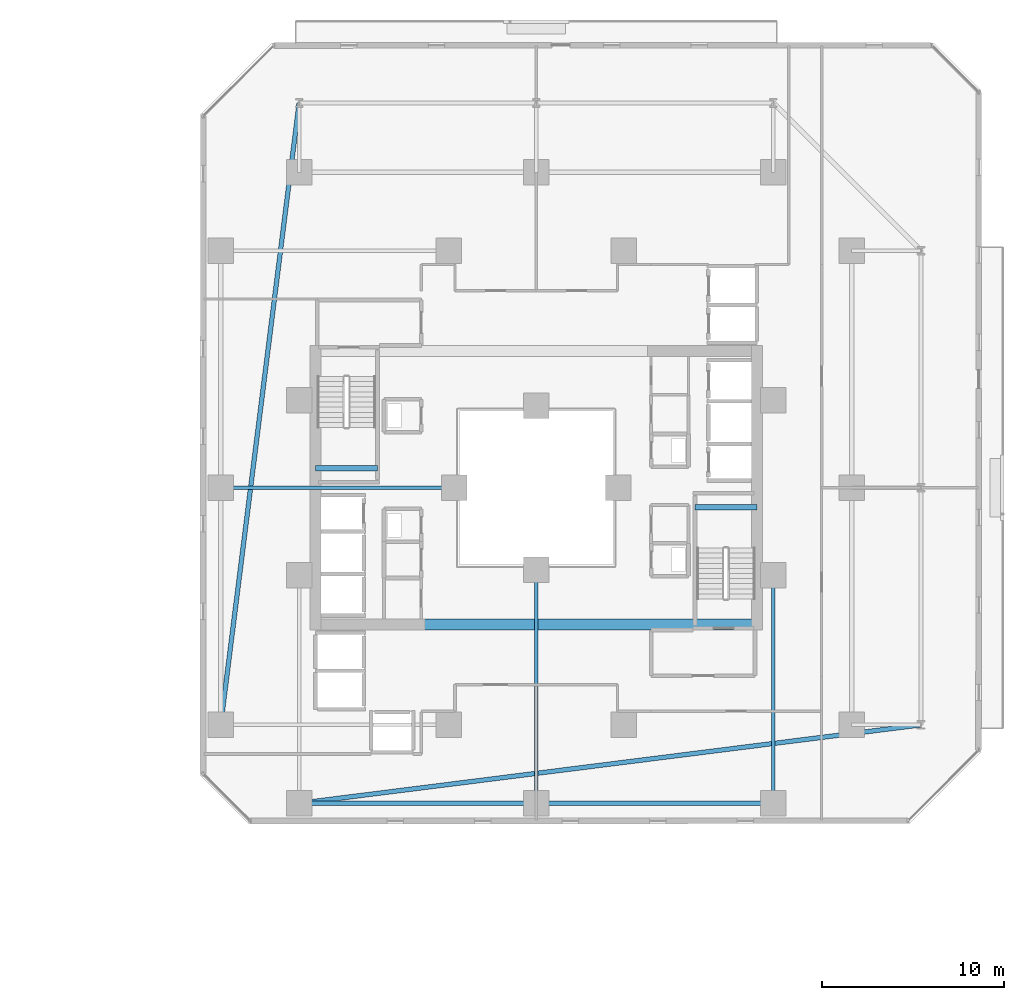
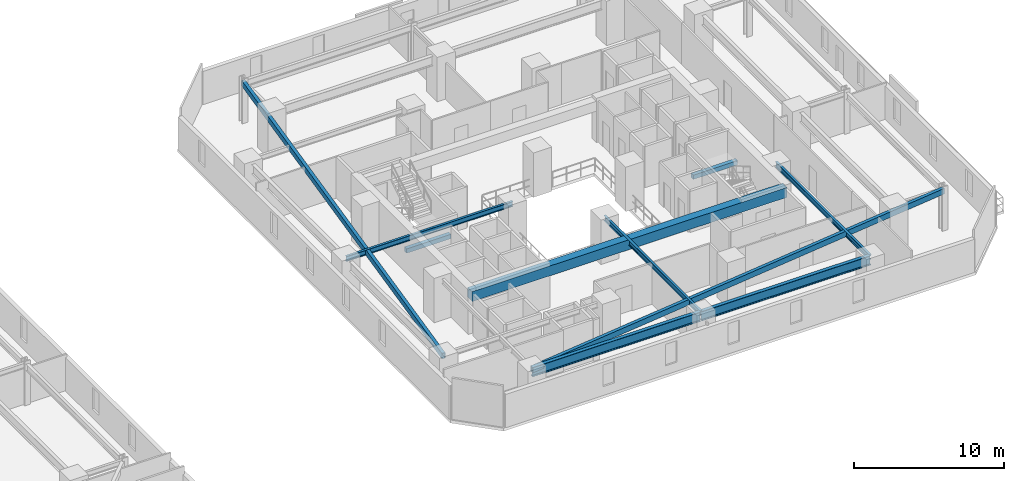
# One storey, part 13 of 34: 10 beams.
"""IFC4 building model written with IfcOpenShell, lengths in metres."""

from ifc_helpers import new_model, si_unit, direction, frame, origin, origin_2d, place, context, subcontext, project, spatial, rectangle, hollow_rectangle, i_section, extrude, material, material_profile, profile_set, type_object, element, save


model = new_model("IFC4")

# Units and contexts
model_context = context("Model", 3, precision=1e-05, world=origin(), true_north=direction((0.0, 1.0)))
body_context = subcontext(model_context, "Body", "Model", "MODEL_VIEW")
ifc_project = project(units=[si_unit("LENGTHUNIT", "METRE"), si_unit("AREAUNIT", "SQUARE_METRE"), si_unit("VOLUMEUNIT", "CUBIC_METRE"), si_unit("PLANEANGLEUNIT", "RADIAN"), si_unit("MASSUNIT", "GRAM", prefix="KILO")], contexts=[model_context])

# Site, building, storey
site_placement = place(None, origin())
site = spatial("IfcSite", under=ifc_project, at=site_placement, CompositionType="ELEMENT")
building_placement = place(site_placement, origin())
building = spatial("IfcBuilding", under=site, at=building_placement, Name="Thornwick Lancets Civic Towers", CompositionType="ELEMENT")
storey_placement = place(building_placement, frame((0.0, 0.0, 53.699951171875)))
storey = spatial("IfcBuildingStorey", under=building, at=storey_placement, Name="L13", CompositionType="ELEMENT", Elevation=53.699951171875)

# Beams
ifc_material_1 = material(Name="Concrete C60/75", Category="concrete")
ifc_material_profile_1 = material_profile(ifc_material_1, rectangle(XDim=0.60009765625, YDim=0.800048828125, at=origin_2d()), Name="RC 600x800")
ifc_profile_set_1 = profile_set([ifc_material_profile_1], Name="Concrete C60/75")
beam_type_1 = type_object("IfcBeamType", Name="BM_COUP_RC800", PredefinedType="BEAM", material=ifc_profile_set_1)
beam_1_placement = place(storey_placement, frame((76.39990234375, 19.5, 2.9599609375), z_axis=(1.0, 0.0, 0.0), x_axis=(0.0, 1.0, 0.0)))
element("IfcBeam", 1, at=beam_1_placement, inside=storey, type_object=beam_type_1, Name="CB-L13-B2", PredefinedType="BEAM", context=body_context, shape_type="SweptSolid", body=[
    extrude(rectangle(XDim=0.60009765625, YDim=0.800048828125, at=origin_2d()), origin(), (0.0, 0.0, 1.0), 24.2001953125),
])
ifc_material_2 = material(Name="Steel S355JR", Category="steel")
ifc_material_profile_2 = material_profile(ifc_material_2, i_section(OverallWidth=0.26806640625, OverallDepth=0.769775390625, WebThickness=0.015625, FlangeThickness=0.025390625, FilletRadius=0.0166015625, at=origin_2d()), Name="UKB 762x267x197")
ifc_profile_set_2 = profile_set([ifc_material_profile_2], Name="Steel S355JR")
beam_type_2 = type_object("IfcBeamType", Name="BM_GIRD_762_197", PredefinedType="BEAM", material=ifc_profile_set_2)
beam_2_placement = place(storey_placement, frame((101.5, 9.699951171875, 2.97509765625), z_axis=(-1.0, 0.0, 0.0), x_axis=(0.0, -1.0, 0.0)))
element("IfcBeam", 2, at=beam_2_placement, inside=storey, type_object=beam_type_2, Name="BM-SPINE-L13-B-9-10", PredefinedType="BEAM", context=body_context, shape_type="SweptSolid", body=[
    extrude(i_section(OverallWidth=0.26806640625, OverallDepth=0.769775390625, WebThickness=0.015625, FlangeThickness=0.025390625, FilletRadius=0.0166015625, at=origin_2d()), origin(), (0.0, 0.0, 1.0), 13.0),
])
beam_3_placement = place(storey_placement, frame((88.419921875, 9.699951171875, 2.97509765625), z_axis=(-1.0, 0.0, 0.0), x_axis=(0.0, -1.0, 0.0)))
element("IfcBeam", 3, at=beam_3_placement, inside=storey, type_object=beam_type_2, Name="BM-SPINE-L13-B-10-11", PredefinedType="BEAM", context=body_context, shape_type="SweptSolid", body=[
    extrude(i_section(OverallWidth=0.26806640625, OverallDepth=0.769775390625, WebThickness=0.015625, FlangeThickness=0.025390625, FilletRadius=0.0166015625, at=origin_2d()), origin(), (0.0, 0.0, 1.0), 12.919921875),
])
ifc_material_profile_3 = material_profile(ifc_material_2, i_section(OverallWidth=0.179443359375, OverallDepth=0.412841796875, WebThickness=0.009521484375, FlangeThickness=0.01611328125, FilletRadius=0.01025390625, at=origin_2d()), Name="UKB 406x178x74")
ifc_profile_set_3 = profile_set([ifc_material_profile_3], Name="Steel S355JR")
beam_type_3 = type_object("IfcBeamType", Name="BM_JOIST_406_74", PredefinedType="JOIST", material=ifc_profile_set_3)
beam_4_placement = place(storey_placement, frame((84.0, 27.0, 3.153564453125), z_axis=(-1.0, 0.0, 0.0), x_axis=(0.0, -1.0, 0.0)))
element("IfcBeam", 4, at=beam_4_placement, inside=storey, type_object=beam_type_3, Name="BM-RADIN-L13-B08", PredefinedType="JOIST", context=body_context, shape_type="SweptSolid", body=[
    extrude(i_section(OverallWidth=0.179443359375, OverallDepth=0.412841796875, WebThickness=0.009521484375, FlangeThickness=0.01611328125, FilletRadius=0.01025390625, at=origin_2d()), origin(), (0.0, 0.0, 1.0), 12.800048828125),
])
beam_5_placement = place(storey_placement, frame((101.5, 22.199951171875, 3.153564453125), z_axis=(0.0, -1.0, 0.0), x_axis=(1.0, 0.0, 0.0)))
element("IfcBeam", 5, at=beam_5_placement, inside=storey, type_object=beam_type_3, Name="BM-RADIN-L13-B10", PredefinedType="JOIST", context=body_context, shape_type="SweptSolid", body=[
    extrude(i_section(OverallWidth=0.179443359375, OverallDepth=0.412841796875, WebThickness=0.009521484375, FlangeThickness=0.01611328125, FilletRadius=0.01025390625, at=origin_2d()), origin(), (0.0, 0.0, 1.0), 12.5),
])
beam_6_placement = place(storey_placement, frame((88.5, 22.5, 3.153564453125), z_axis=(0.0, -1.0, 0.0), x_axis=(1.0, 0.0, 0.0)))
element("IfcBeam", 6, at=beam_6_placement, inside=storey, type_object=beam_type_3, Name="BM-RADIN-L13-B11", PredefinedType="JOIST", context=body_context, shape_type="SweptSolid", body=[
    extrude(i_section(OverallWidth=0.179443359375, OverallDepth=0.412841796875, WebThickness=0.009521484375, FlangeThickness=0.01611328125, FilletRadius=0.01025390625, at=origin_2d()), origin(), (0.0, 0.0, 1.0), 12.800048828125),
])
ifc_material_profile_4 = material_profile(ifc_material_2, hollow_rectangle(XDim=0.25, YDim=0.449951171875, WallThickness=0.01611328125, at=origin_2d()), Name="RHS 450x250x16")
ifc_profile_set_4 = profile_set([ifc_material_profile_4], Name="Steel S355JR")
beam_type_4 = type_object("IfcBeamType", Name="BM_RING_RHS450", PredefinedType="BEAM", material=ifc_profile_set_4)
for number, where, z_axis, x_axis, name in (
    (7, (75.5, 48.10009765625, 3.135009765625), (-0.12510998836, -0.992142878225, 0.0), (0.992142878225, -0.12510998836, 0.0), "BM-CHAMF-L13-B-C1"),
    (8, (75.5, 9.699951171875, 3.135009765625), (0.992142878225, 0.12510998836, 0.0), (-0.12510998836, 0.992142878225, 0.0), "BM-CHAMF-L13-B-C3"),
):
    element("IfcBeam", number, at=place(storey_placement, frame(where, z_axis=z_axis, x_axis=x_axis)), inside=storey, type_object=beam_type_4, Name=name, PredefinedType="BEAM", context=body_context, shape_type="SweptSolid", body=[
        extrude(hollow_rectangle(XDim=0.25, YDim=0.449951171875, WallThickness=0.01611328125, at=origin_2d()), origin(), (0.0, 0.0, 1.0), 34.3701171875),
    ])
ifc_material_3 = material(Name="Concrete C40/50", Category="concrete")
ifc_material_profile_5 = material_profile(ifc_material_3, rectangle(XDim=0.300048828125, YDim=0.35009765625, at=origin_2d()), Name="RC 300x350")
ifc_profile_set_5 = profile_set([ifc_material_profile_5], Name="Concrete C40/50")
beam_type_5 = type_object("IfcBeamType", Name="BM_STAIR_LDG", PredefinedType="BEAM", material=ifc_profile_set_5)
for number, where, z_axis, x_axis, name in (
    (9, (100.60009765625, 25.93505859375, 1.3779296875), (-1.0, 0.0, 0.0), (0.0, -1.0, 0.0), "L13 ST-B1 Landing Support Beam 1"),
    (10, (76.39990234375, 28.06494140625, 1.3779296875), (1.0, 0.0, 0.0), (0.0, 1.0, 0.0), "L13 ST-B2 Landing Support Beam 1"),
):
    element("IfcBeam", number, at=place(storey_placement, frame(where, z_axis=z_axis, x_axis=x_axis)), inside=storey, type_object=beam_type_5, Name=name, PredefinedType="BEAM", context=body_context, shape_type="SweptSolid", body=[
        extrude(rectangle(XDim=0.300048828125, YDim=0.35009765625, at=origin_2d()), origin(), (0.0, 0.0, 1.0), 3.400146484375),
    ])

save(model, "model.ifc")
